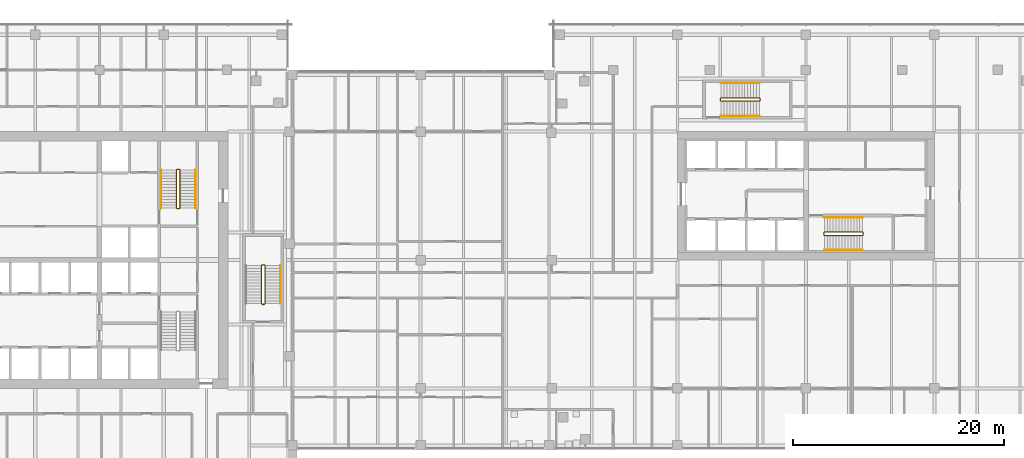
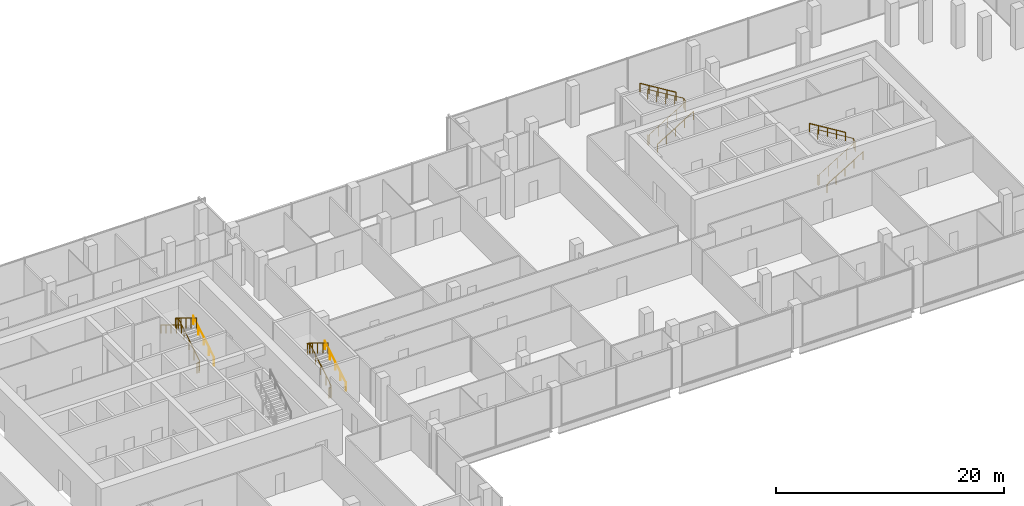
# One storey, part 32 of 33: 11 railings.
"""IFC4 building model written with IfcOpenShell, lengths in metres."""

from ifc_helpers import new_model, si_unit, direction, frame, origin, origin_2d, place, context, subcontext, project, spatial, circle, extrude, material, type_object, element, save


model = new_model("IFC4")

# Units and contexts
model_context = context("Model", 3, precision=1e-05, world=origin(), true_north=direction((0.0, 1.0)))
body_context = subcontext(model_context, "Body", "Model", "MODEL_VIEW")
ifc_project = project(units=[si_unit("LENGTHUNIT", "METRE"), si_unit("AREAUNIT", "SQUARE_METRE"), si_unit("VOLUMEUNIT", "CUBIC_METRE"), si_unit("PLANEANGLEUNIT", "RADIAN"), si_unit("MASSUNIT", "GRAM", prefix="KILO")], contexts=[model_context])

# Site, building, storey
site_placement = place(None, origin())
site = spatial("IfcSite", under=ifc_project, at=site_placement, CompositionType="ELEMENT")
building_placement = place(site_placement, origin())
building = spatial("IfcBuilding", under=site, at=building_placement, Name="Tessera Gate Towers", CompositionType="ELEMENT")
storey_placement = place(building_placement, frame((0.0, 0.0, 12.0)))
storey = spatial("IfcBuildingStorey", under=building, at=storey_placement, Name="L02", CompositionType="ELEMENT", Elevation=12.0)

# Railings
ifc_material_1 = material(Name="Steel 350W", Category="steel")
railing_type_1 = type_object("IfcRailingType", Name="STAIR GUARD 1100", PredefinedType="GUARDRAIL", material=ifc_material_1)
railing_1_placement = place(storey_placement, frame((50.074951171875, 41.47509765625, 0.0)))
element("IfcRailing", 1, at=railing_1_placement, inside=storey, type_object=railing_type_1, Name="L02 ST2 stair guard 1", PredefinedType="GUARDRAIL", context=body_context, shape_type="SweptSolid", body=[
    extrude(circle(Radius=0.02392578125, at=origin_2d()), frame((0.0, 0.0, 1.076171875), z_axis=(1.0, 0.0, 0.0), x_axis=(0.0, 1.0, 0.0)), (0.0, 0.0, 1.0), 0.199951171875),
    extrude(circle(Radius=0.02392578125, at=origin_2d()), frame((0.199951171875, 0.0, 1.076171875), z_axis=(0.270006937388, 0.268689830376, 0.924609122178), x_axis=(-0.705375805398, 0.708833529934, 0.0)), (0.0, 0.0, 1.0), 0.185302734375),
    extrude(circle(Radius=0.02392578125, at=origin_2d()), frame((0.25, 0.0498046875, 1.24755859375), z_axis=(0.0, 0.852865859571, 0.52213008492), x_axis=(-1.0, 0.0, 0.0)), (0.0, 0.0, 1.0), 4.26806640625),
    extrude(circle(Radius=0.02392578125, at=origin_2d()), frame((0.25, 3.68994140625, 3.47607421875), z_axis=(-0.707106781187, 0.707106781187, 0.0), x_axis=(-0.707106781187, -0.707106781187, 0.0)), (0.0, 0.0, 1.0), 0.07080078125),
    extrude(circle(Radius=0.02392578125, at=origin_2d()), frame((0.199951171875, 3.739990234375, 3.47607421875), z_axis=(-1.0, 0.0, 0.0), x_axis=(0.0, -1.0, 0.0)), (0.0, 0.0, 1.0), 0.199951171875),
    extrude(circle(Radius=0.02392578125, at=origin_2d()), frame((0.0, 3.739990234375, 3.47607421875), z_axis=(-0.269583098496, -0.269583098496, 0.924472771914), x_axis=(0.707106781187, -0.707106781187, 0.0)), (0.0, 0.0, 1.0), 0.185546875),
    extrude(circle(Radius=0.02392578125, at=origin_2d()), frame((-0.050048828125, 3.68994140625, 3.6474609375), z_axis=(0.0, -0.852865859571, 0.52213008492), x_axis=(1.0, 0.0, 0.0)), (0.0, 0.0, 1.0), 4.26806640625),
    extrude(circle(Radius=0.02099609375, at=origin_2d()), origin(), (0.0, 0.0, 1.0), 1.052001953125),
    extrude(circle(Radius=0.02099609375, at=origin_2d()), frame((0.199951171875, 0.0, 0.0)), (0.0, 0.0, 1.0), 1.052001953125),
    extrude(circle(Radius=0.02099609375, at=origin_2d()), frame((0.25, 0.0498046875, 0.17138671875)), (0.0, 0.0, 1.0), 1.052001953125),
    extrude(circle(Radius=0.02099609375, at=origin_2d()), frame((0.25, 0.9599609375, 0.728515625)), (0.0, 0.0, 1.0), 1.052001953125),
    extrude(circle(Radius=0.02099609375, at=origin_2d()), frame((0.25, 1.869873046875, 1.28564453125)), (0.0, 0.0, 1.0), 1.052001953125),
    extrude(circle(Radius=0.02099609375, at=origin_2d()), frame((0.25, 2.77978515625, 1.8427734375)), (0.0, 0.0, 1.0), 1.052001953125),
    extrude(circle(Radius=0.02099609375, at=origin_2d()), frame((0.25, 3.68994140625, 2.39990234375)), (0.0, 0.0, 1.0), 1.052001953125),
    extrude(circle(Radius=0.02099609375, at=origin_2d()), frame((0.199951171875, 3.739990234375, 2.39990234375)), (0.0, 0.0, 1.0), 1.052001953125),
    extrude(circle(Radius=0.02099609375, at=origin_2d()), frame((0.0, 3.739990234375, 2.39990234375)), (0.0, 0.0, 1.0), 1.052001953125),
    extrude(circle(Radius=0.02099609375, at=origin_2d()), frame((-0.050048828125, 3.68994140625, 2.571533203125)), (0.0, 0.0, 1.0), 1.052001953125),
    extrude(circle(Radius=0.02099609375, at=origin_2d()), frame((-0.050048828125, 2.77978515625, 3.128662109375)), (0.0, 0.0, 1.0), 1.052001953125),
    extrude(circle(Radius=0.02099609375, at=origin_2d()), frame((-0.050048828125, 1.869873046875, 3.685791015625)), (0.0, 0.0, 1.0), 1.052001953125),
    extrude(circle(Radius=0.02099609375, at=origin_2d()), frame((-0.050048828125, 0.9599609375, 4.242919921875)), (0.0, 0.0, 1.0), 1.052001953125),
    extrude(circle(Radius=0.02099609375, at=origin_2d()), frame((-0.050048828125, 0.0498046875, 4.800048828125)), (0.0, 0.0, 1.0), 1.052001953125),
])
railing_2_placement = place(storey_placement, frame((58.14990234375, 32.39990234375, 0.0)))
element("IfcRailing", 2, at=railing_2_placement, inside=storey, type_object=railing_type_1, Name="L02 ST5 stair guard 1", PredefinedType="GUARDRAIL", context=body_context, shape_type="SweptSolid", body=[
    extrude(circle(Radius=0.02392578125, at=origin_2d()), frame((0.0, 0.0, 1.076171875), z_axis=(1.0, 0.0, 0.0), x_axis=(0.0, 1.0, 0.0)), (0.0, 0.0, 1.0), 0.2001953125),
    extrude(circle(Radius=0.02392578125, at=origin_2d()), frame((0.2001953125, 0.0, 1.076171875), z_axis=(0.268689830376, 0.270006937388, 0.924609122178), x_axis=(-0.708833529934, 0.705375805398, 0.0)), (0.0, 0.0, 1.0), 0.185302734375),
    extrude(circle(Radius=0.02392578125, at=origin_2d()), frame((0.25, 0.050048828125, 1.24755859375), z_axis=(0.0, 0.852865859571, 0.52213008492), x_axis=(-1.0, 0.0, 0.0)), (0.0, 0.0, 1.0), 4.26806640625),
    extrude(circle(Radius=0.02392578125, at=origin_2d()), frame((0.25, 3.690185546875, 3.47607421875), z_axis=(-0.707106781187, 0.707106781187, 0.0), x_axis=(-0.707106781187, -0.707106781187, 0.0)), (0.0, 0.0, 1.0), 0.0703125),
    extrude(circle(Radius=0.02392578125, at=origin_2d()), frame((0.2001953125, 3.739990234375, 3.47607421875), z_axis=(-1.0, 0.0, 0.0), x_axis=(0.0, -1.0, 0.0)), (0.0, 0.0, 1.0), 0.2001953125),
    extrude(circle(Radius=0.02392578125, at=origin_2d()), frame((0.0, 3.739990234375, 3.47607421875), z_axis=(-0.268458005333, -0.268458005333, 0.925127341908), x_axis=(0.707106781187, -0.707106781187, 0.0)), (0.0, 0.0, 1.0), 0.185546875),
    extrude(circle(Radius=0.02392578125, at=origin_2d()), frame((-0.0498046875, 3.690185546875, 3.6474609375), z_axis=(0.0, -0.852865859571, 0.52213008492), x_axis=(1.0, 0.0, 0.0)), (0.0, 0.0, 1.0), 4.26806640625),
    extrude(circle(Radius=0.02099609375, at=origin_2d()), origin(), (0.0, 0.0, 1.0), 1.052001953125),
    extrude(circle(Radius=0.02099609375, at=origin_2d()), frame((0.2001953125, 0.0, 0.0)), (0.0, 0.0, 1.0), 1.052001953125),
    extrude(circle(Radius=0.02099609375, at=origin_2d()), frame((0.25, 0.050048828125, 0.17138671875)), (0.0, 0.0, 1.0), 1.052001953125),
    extrude(circle(Radius=0.02099609375, at=origin_2d()), frame((0.25, 0.9599609375, 0.728515625)), (0.0, 0.0, 1.0), 1.052001953125),
    extrude(circle(Radius=0.02099609375, at=origin_2d()), frame((0.25, 1.8701171875, 1.28564453125)), (0.0, 0.0, 1.0), 1.052001953125),
    extrude(circle(Radius=0.02099609375, at=origin_2d()), frame((0.25, 2.7802734375, 1.8427734375)), (0.0, 0.0, 1.0), 1.052001953125),
    extrude(circle(Radius=0.02099609375, at=origin_2d()), frame((0.25, 3.690185546875, 2.39990234375)), (0.0, 0.0, 1.0), 1.052001953125),
    extrude(circle(Radius=0.02099609375, at=origin_2d()), frame((0.2001953125, 3.739990234375, 2.39990234375)), (0.0, 0.0, 1.0), 1.052001953125),
    extrude(circle(Radius=0.02099609375, at=origin_2d()), frame((0.0, 3.739990234375, 2.39990234375)), (0.0, 0.0, 1.0), 1.052001953125),
    extrude(circle(Radius=0.02099609375, at=origin_2d()), frame((-0.0498046875, 3.690185546875, 2.571533203125)), (0.0, 0.0, 1.0), 1.052001953125),
    extrude(circle(Radius=0.02099609375, at=origin_2d()), frame((-0.0498046875, 2.7802734375, 3.128662109375)), (0.0, 0.0, 1.0), 1.052001953125),
    extrude(circle(Radius=0.02099609375, at=origin_2d()), frame((-0.0498046875, 1.8701171875, 3.685791015625)), (0.0, 0.0, 1.0), 1.052001953125),
    extrude(circle(Radius=0.02099609375, at=origin_2d()), frame((-0.0498046875, 0.9599609375, 4.242919921875)), (0.0, 0.0, 1.0), 1.052001953125),
    extrude(circle(Radius=0.02099609375, at=origin_2d()), frame((-0.0498046875, 0.050048828125, 4.800048828125)), (0.0, 0.0, 1.0), 1.052001953125),
])
railing_3_placement = place(storey_placement, frame((111.5, 39.199951171875, 0.0)))
element("IfcRailing", 3, at=railing_3_placement, inside=storey, type_object=railing_type_1, Name="L02 ST6 stair guard 1", PredefinedType="GUARDRAIL", context=body_context, shape_type="SweptSolid", body=[
    extrude(circle(Radius=0.02392578125, at=origin_2d()), frame((0.0, 0.0, 1.076171875), z_axis=(0.0, -1.0, 0.0), x_axis=(1.0, 0.0, 0.0)), (0.0, 0.0, 1.0), 0.199951171875),
    extrude(circle(Radius=0.02392578125, at=origin_2d()), frame((0.0, -0.199951171875, 1.076171875), z_axis=(0.269911200495, -0.269911200495, 0.924281281696), x_axis=(0.707106781187, 0.707106781187, 0.0)), (0.0, 0.0, 1.0), 0.185546875),
    extrude(circle(Radius=0.02392578125, at=origin_2d()), frame((0.050048828125, -0.25, 1.24755859375), z_axis=(0.852850264322, 0.0, 0.5221555579), x_axis=(0.0, 1.0, 0.0)), (0.0, 0.0, 1.0), 4.267822265625),
    extrude(circle(Radius=0.02392578125, at=origin_2d()), frame((3.68994140625, -0.25, 3.47607421875), z_axis=(0.707106781187, 0.707106781187, 0.0), x_axis=(-0.707106781187, 0.707106781187, 0.0)), (0.0, 0.0, 1.0), 0.07080078125),
    extrude(circle(Radius=0.02392578125, at=origin_2d()), frame((3.739990234375, -0.199951171875, 3.47607421875), z_axis=(0.0, 1.0, 0.0), x_axis=(-1.0, 0.0, 0.0)), (0.0, 0.0, 1.0), 0.199951171875),
    extrude(circle(Radius=0.02392578125, at=origin_2d()), frame((3.739990234375, 0.0, 3.47607421875), z_axis=(-0.269583098496, 0.269583098496, 0.924472771914), x_axis=(-0.707106781187, -0.707106781187, 0.0)), (0.0, 0.0, 1.0), 0.185546875),
    extrude(circle(Radius=0.02392578125, at=origin_2d()), frame((3.68994140625, 0.050048828125, 3.6474609375), z_axis=(-0.852850264322, 0.0, 0.5221555579), x_axis=(0.0, -1.0, 0.0)), (0.0, 0.0, 1.0), 4.267822265625),
    extrude(circle(Radius=0.02099609375, at=origin_2d()), origin(), (0.0, 0.0, 1.0), 1.052001953125),
    extrude(circle(Radius=0.02099609375, at=origin_2d()), frame((0.0, -0.199951171875, 0.0)), (0.0, 0.0, 1.0), 1.052001953125),
    extrude(circle(Radius=0.02099609375, at=origin_2d()), frame((0.050048828125, -0.25, 0.17138671875)), (0.0, 0.0, 1.0), 1.052001953125),
    extrude(circle(Radius=0.02099609375, at=origin_2d()), frame((0.9599609375, -0.25, 0.728515625)), (0.0, 0.0, 1.0), 1.052001953125),
    extrude(circle(Radius=0.02099609375, at=origin_2d()), frame((1.8701171875, -0.25, 1.28564453125)), (0.0, 0.0, 1.0), 1.052001953125),
    extrude(circle(Radius=0.02099609375, at=origin_2d()), frame((2.780029296875, -0.25, 1.8427734375)), (0.0, 0.0, 1.0), 1.052001953125),
    extrude(circle(Radius=0.02099609375, at=origin_2d()), frame((3.68994140625, -0.25, 2.39990234375)), (0.0, 0.0, 1.0), 1.052001953125),
    extrude(circle(Radius=0.02099609375, at=origin_2d()), frame((3.739990234375, -0.199951171875, 2.39990234375)), (0.0, 0.0, 1.0), 1.052001953125),
    extrude(circle(Radius=0.02099609375, at=origin_2d()), frame((3.739990234375, 0.0, 2.39990234375)), (0.0, 0.0, 1.0), 1.052001953125),
    extrude(circle(Radius=0.02099609375, at=origin_2d()), frame((3.68994140625, 0.050048828125, 2.571533203125)), (0.0, 0.0, 1.0), 1.052001953125),
    extrude(circle(Radius=0.02099609375, at=origin_2d()), frame((2.780029296875, 0.050048828125, 3.128662109375)), (0.0, 0.0, 1.0), 1.052001953125),
    extrude(circle(Radius=0.02099609375, at=origin_2d()), frame((1.8701171875, 0.050048828125, 3.685791015625)), (0.0, 0.0, 1.0), 1.052001953125),
    extrude(circle(Radius=0.02099609375, at=origin_2d()), frame((0.9599609375, 0.050048828125, 4.242919921875)), (0.0, 0.0, 1.0), 1.052001953125),
    extrude(circle(Radius=0.02099609375, at=origin_2d()), frame((0.050048828125, 0.050048828125, 4.800048828125)), (0.0, 0.0, 1.0), 1.052001953125),
])
railing_4_placement = place(storey_placement, frame((101.699951171875, 51.949951171875, 0.0)))
element("IfcRailing", 4, at=railing_4_placement, inside=storey, type_object=railing_type_1, Name="L02 ST7 stair guard 1", PredefinedType="GUARDRAIL", context=body_context, shape_type="SweptSolid", body=[
    extrude(circle(Radius=0.02392578125, at=origin_2d()), frame((0.0, 0.0, 1.076171875), z_axis=(0.0, -1.0, 0.0), x_axis=(1.0, 0.0, 0.0)), (0.0, 0.0, 1.0), 0.199951171875),
    extrude(circle(Radius=0.02392578125, at=origin_2d()), frame((0.0, -0.199951171875, 1.076171875), z_axis=(0.269911200495, -0.269911200495, 0.924281281696), x_axis=(0.707106781187, 0.707106781187, 0.0)), (0.0, 0.0, 1.0), 0.185546875),
    extrude(circle(Radius=0.02392578125, at=origin_2d()), frame((0.050048828125, -0.25, 1.24755859375), z_axis=(0.852850264322, 0.0, 0.5221555579), x_axis=(0.0, 1.0, 0.0)), (0.0, 0.0, 1.0), 4.267822265625),
    extrude(circle(Radius=0.02392578125, at=origin_2d()), frame((3.68994140625, -0.25, 3.47607421875), z_axis=(0.707106781187, 0.707106781187, 0.0), x_axis=(-0.707106781187, 0.707106781187, 0.0)), (0.0, 0.0, 1.0), 0.07080078125),
    extrude(circle(Radius=0.02392578125, at=origin_2d()), frame((3.739990234375, -0.199951171875, 3.47607421875), z_axis=(0.0, 1.0, 0.0), x_axis=(-1.0, 0.0, 0.0)), (0.0, 0.0, 1.0), 0.199951171875),
    extrude(circle(Radius=0.02392578125, at=origin_2d()), frame((3.739990234375, 0.0, 3.47607421875), z_axis=(-0.269583098496, 0.269583098496, 0.924472771914), x_axis=(-0.707106781187, -0.707106781187, 0.0)), (0.0, 0.0, 1.0), 0.185546875),
    extrude(circle(Radius=0.02392578125, at=origin_2d()), frame((3.68994140625, 0.050048828125, 3.6474609375), z_axis=(-0.852850264322, 0.0, 0.5221555579), x_axis=(0.0, -1.0, 0.0)), (0.0, 0.0, 1.0), 4.267822265625),
    extrude(circle(Radius=0.02099609375, at=origin_2d()), origin(), (0.0, 0.0, 1.0), 1.052001953125),
    extrude(circle(Radius=0.02099609375, at=origin_2d()), frame((0.0, -0.199951171875, 0.0)), (0.0, 0.0, 1.0), 1.052001953125),
    extrude(circle(Radius=0.02099609375, at=origin_2d()), frame((0.050048828125, -0.25, 0.17138671875)), (0.0, 0.0, 1.0), 1.052001953125),
    extrude(circle(Radius=0.02099609375, at=origin_2d()), frame((0.9599609375, -0.25, 0.728515625)), (0.0, 0.0, 1.0), 1.052001953125),
    extrude(circle(Radius=0.02099609375, at=origin_2d()), frame((1.8701171875, -0.25, 1.28564453125)), (0.0, 0.0, 1.0), 1.052001953125),
    extrude(circle(Radius=0.02099609375, at=origin_2d()), frame((2.780029296875, -0.25, 1.8427734375)), (0.0, 0.0, 1.0), 1.052001953125),
    extrude(circle(Radius=0.02099609375, at=origin_2d()), frame((3.68994140625, -0.25, 2.39990234375)), (0.0, 0.0, 1.0), 1.052001953125),
    extrude(circle(Radius=0.02099609375, at=origin_2d()), frame((3.739990234375, -0.199951171875, 2.39990234375)), (0.0, 0.0, 1.0), 1.052001953125),
    extrude(circle(Radius=0.02099609375, at=origin_2d()), frame((3.739990234375, 0.0, 2.39990234375)), (0.0, 0.0, 1.0), 1.052001953125),
    extrude(circle(Radius=0.02099609375, at=origin_2d()), frame((3.68994140625, 0.050048828125, 2.571533203125)), (0.0, 0.0, 1.0), 1.052001953125),
    extrude(circle(Radius=0.02099609375, at=origin_2d()), frame((2.780029296875, 0.050048828125, 3.128662109375)), (0.0, 0.0, 1.0), 1.052001953125),
    extrude(circle(Radius=0.02099609375, at=origin_2d()), frame((1.8701171875, 0.050048828125, 3.685791015625)), (0.0, 0.0, 1.0), 1.052001953125),
    extrude(circle(Radius=0.02099609375, at=origin_2d()), frame((0.9599609375, 0.050048828125, 4.242919921875)), (0.0, 0.0, 1.0), 1.052001953125),
    extrude(circle(Radius=0.02099609375, at=origin_2d()), frame((0.050048828125, 0.050048828125, 4.800048828125)), (0.0, 0.0, 1.0), 1.052001953125),
])
ifc_material_2 = material(Name="Steel 350W", Category="steel")
railing_type_2 = type_object("IfcRailingType", Name="STAIR HANDRAIL 900", PredefinedType="HANDRAIL", material=ifc_material_2)
railing_5_placement = place(storey_placement, frame((51.824951171875, 41.52490234375, 0.17138671875)))
element("IfcRailing", 5, at=railing_5_placement, inside=storey, type_object=railing_type_2, Name="L02 ST2 stair handrail 1", PredefinedType="HANDRAIL", context=body_context, shape_type="SweptSolid", body=[
    extrude(circle(Radius=0.02392578125, at=origin_2d()), frame((0.0, 0.0, 0.8759765625), z_axis=(0.0, 0.852865859571, 0.52213008492), x_axis=(-1.0, 0.0, 0.0)), (0.0, 0.0, 1.0), 4.26806640625),
    extrude(circle(Radius=0.02099609375, at=origin_2d()), origin(), (0.0, 0.0, 1.0), 0.851806640625),
    extrude(circle(Radius=0.02099609375, at=origin_2d()), frame((0.0, 0.91015625, 0.55712890625)), (0.0, 0.0, 1.0), 0.851806640625),
    extrude(circle(Radius=0.02099609375, at=origin_2d()), frame((0.0, 1.820068359375, 1.1142578125)), (0.0, 0.0, 1.0), 0.851806640625),
    extrude(circle(Radius=0.02099609375, at=origin_2d()), frame((0.0, 2.72998046875, 1.67138671875)), (0.0, 0.0, 1.0), 0.851806640625),
    extrude(circle(Radius=0.02099609375, at=origin_2d()), frame((0.0, 3.64013671875, 2.228515625)), (0.0, 0.0, 1.0), 0.851806640625),
])
railing_6_placement = place(storey_placement, frame((48.52490234375, 45.1650390625, 2.571533203125)))
element("IfcRailing", 6, at=railing_6_placement, inside=storey, type_object=railing_type_2, Name="L02 ST2 stair handrail 2", PredefinedType="HANDRAIL", context=body_context, shape_type="SweptSolid", body=[
    extrude(circle(Radius=0.02392578125, at=origin_2d()), frame((0.0, 0.0, 0.8759765625), z_axis=(0.0, -0.852865859571, 0.52213008492), x_axis=(1.0, 0.0, 0.0)), (0.0, 0.0, 1.0), 4.26806640625),
    extrude(circle(Radius=0.02099609375, at=origin_2d()), origin(), (0.0, 0.0, 1.0), 0.851806640625),
    extrude(circle(Radius=0.02099609375, at=origin_2d()), frame((0.0, -0.91015625, 0.55712890625)), (0.0, 0.0, 1.0), 0.851806640625),
    extrude(circle(Radius=0.02099609375, at=origin_2d()), frame((0.0, -1.820068359375, 1.1142578125)), (0.0, 0.0, 1.0), 0.851806640625),
    extrude(circle(Radius=0.02099609375, at=origin_2d()), frame((0.0, -2.72998046875, 1.67138671875)), (0.0, 0.0, 1.0), 0.851806640625),
    extrude(circle(Radius=0.02099609375, at=origin_2d()), frame((0.0, -3.64013671875, 2.228515625)), (0.0, 0.0, 1.0), 0.851806640625),
])
railing_7_placement = place(storey_placement, frame((59.89990234375, 32.449951171875, 0.17138671875)))
element("IfcRailing", 7, at=railing_7_placement, inside=storey, type_object=railing_type_2, Name="L02 ST5 stair handrail 1", PredefinedType="HANDRAIL", context=body_context, shape_type="SweptSolid", body=[
    extrude(circle(Radius=0.02392578125, at=origin_2d()), frame((0.0, 0.0, 0.8759765625), z_axis=(0.0, 0.852865859571, 0.52213008492), x_axis=(-1.0, 0.0, 0.0)), (0.0, 0.0, 1.0), 4.26806640625),
    extrude(circle(Radius=0.02099609375, at=origin_2d()), origin(), (0.0, 0.0, 1.0), 0.851806640625),
    extrude(circle(Radius=0.02099609375, at=origin_2d()), frame((0.0, 0.91015625, 0.55712890625)), (0.0, 0.0, 1.0), 0.851806640625),
    extrude(circle(Radius=0.02099609375, at=origin_2d()), frame((0.0, 1.820068359375, 1.1142578125)), (0.0, 0.0, 1.0), 0.851806640625),
    extrude(circle(Radius=0.02099609375, at=origin_2d()), frame((0.0, 2.72998046875, 1.67138671875)), (0.0, 0.0, 1.0), 0.851806640625),
    extrude(circle(Radius=0.02099609375, at=origin_2d()), frame((0.0, 3.64013671875, 2.228515625)), (0.0, 0.0, 1.0), 0.851806640625),
])
railing_8_placement = place(storey_placement, frame((111.550048828125, 37.550048828125, 0.17138671875)))
element("IfcRailing", 8, at=railing_8_placement, inside=storey, type_object=railing_type_2, Name="L02 ST6 stair handrail 1", PredefinedType="HANDRAIL", context=body_context, shape_type="SweptSolid", body=[
    extrude(circle(Radius=0.02392578125, at=origin_2d()), frame((0.0, 0.0, 0.8759765625), z_axis=(0.852850264322, 0.0, 0.5221555579), x_axis=(0.0, 1.0, 0.0)), (0.0, 0.0, 1.0), 4.267822265625),
    extrude(circle(Radius=0.02099609375, at=origin_2d()), origin(), (0.0, 0.0, 1.0), 0.851806640625),
    extrude(circle(Radius=0.02099609375, at=origin_2d()), frame((0.909912109375, 0.0, 0.55712890625)), (0.0, 0.0, 1.0), 0.851806640625),
    extrude(circle(Radius=0.02099609375, at=origin_2d()), frame((1.81982421875, 0.0, 1.1142578125)), (0.0, 0.0, 1.0), 0.851806640625),
    extrude(circle(Radius=0.02099609375, at=origin_2d()), frame((2.72998046875, 0.0, 1.67138671875)), (0.0, 0.0, 1.0), 0.851806640625),
    extrude(circle(Radius=0.02099609375, at=origin_2d()), frame((3.639892578125, 0.0, 2.228515625)), (0.0, 0.0, 1.0), 0.851806640625),
])
railing_9_placement = place(storey_placement, frame((115.18994140625, 40.64990234375, 2.571533203125)))
element("IfcRailing", 9, at=railing_9_placement, inside=storey, type_object=railing_type_2, Name="L02 ST6 stair handrail 2", PredefinedType="HANDRAIL", context=body_context, shape_type="SweptSolid", body=[
    extrude(circle(Radius=0.02392578125, at=origin_2d()), frame((0.0, 0.0, 0.8759765625), z_axis=(-0.852850264322, 0.0, 0.5221555579), x_axis=(0.0, -1.0, 0.0)), (0.0, 0.0, 1.0), 4.267822265625),
    extrude(circle(Radius=0.02099609375, at=origin_2d()), origin(), (0.0, 0.0, 1.0), 0.851806640625),
    extrude(circle(Radius=0.02099609375, at=origin_2d()), frame((-0.909912109375, 0.0, 0.55712890625)), (0.0, 0.0, 1.0), 0.851806640625),
    extrude(circle(Radius=0.02099609375, at=origin_2d()), frame((-1.81982421875, 0.0, 1.1142578125)), (0.0, 0.0, 1.0), 0.851806640625),
    extrude(circle(Radius=0.02099609375, at=origin_2d()), frame((-2.72998046875, 0.0, 1.67138671875)), (0.0, 0.0, 1.0), 0.851806640625),
    extrude(circle(Radius=0.02099609375, at=origin_2d()), frame((-3.639892578125, 0.0, 2.228515625)), (0.0, 0.0, 1.0), 0.851806640625),
])
railing_10_placement = place(storey_placement, frame((101.75, 50.300048828125, 0.17138671875)))
element("IfcRailing", 10, at=railing_10_placement, inside=storey, type_object=railing_type_2, Name="L02 ST7 stair handrail 1", PredefinedType="HANDRAIL", context=body_context, shape_type="SweptSolid", body=[
    extrude(circle(Radius=0.02392578125, at=origin_2d()), frame((0.0, 0.0, 0.8759765625), z_axis=(0.852850264322, 0.0, 0.5221555579), x_axis=(0.0, 1.0, 0.0)), (0.0, 0.0, 1.0), 4.267822265625),
    extrude(circle(Radius=0.02099609375, at=origin_2d()), origin(), (0.0, 0.0, 1.0), 0.851806640625),
    extrude(circle(Radius=0.02099609375, at=origin_2d()), frame((0.909912109375, 0.0, 0.55712890625)), (0.0, 0.0, 1.0), 0.851806640625),
    extrude(circle(Radius=0.02099609375, at=origin_2d()), frame((1.81982421875, 0.0, 1.1142578125)), (0.0, 0.0, 1.0), 0.851806640625),
    extrude(circle(Radius=0.02099609375, at=origin_2d()), frame((2.72998046875, 0.0, 1.67138671875)), (0.0, 0.0, 1.0), 0.851806640625),
    extrude(circle(Radius=0.02099609375, at=origin_2d()), frame((3.639892578125, 0.0, 2.228515625)), (0.0, 0.0, 1.0), 0.851806640625),
])
railing_11_placement = place(storey_placement, frame((105.389892578125, 53.39990234375, 2.571533203125)))
element("IfcRailing", 11, at=railing_11_placement, inside=storey, type_object=railing_type_2, Name="L02 ST7 stair handrail 2", PredefinedType="HANDRAIL", context=body_context, shape_type="SweptSolid", body=[
    extrude(circle(Radius=0.02392578125, at=origin_2d()), frame((0.0, 0.0, 0.8759765625), z_axis=(-0.852850264322, 0.0, 0.5221555579), x_axis=(0.0, -1.0, 0.0)), (0.0, 0.0, 1.0), 4.267822265625),
    extrude(circle(Radius=0.02099609375, at=origin_2d()), origin(), (0.0, 0.0, 1.0), 0.851806640625),
    extrude(circle(Radius=0.02099609375, at=origin_2d()), frame((-0.909912109375, 0.0, 0.55712890625)), (0.0, 0.0, 1.0), 0.851806640625),
    extrude(circle(Radius=0.02099609375, at=origin_2d()), frame((-1.81982421875, 0.0, 1.1142578125)), (0.0, 0.0, 1.0), 0.851806640625),
    extrude(circle(Radius=0.02099609375, at=origin_2d()), frame((-2.72998046875, 0.0, 1.67138671875)), (0.0, 0.0, 1.0), 0.851806640625),
    extrude(circle(Radius=0.02099609375, at=origin_2d()), frame((-3.639892578125, 0.0, 2.228515625)), (0.0, 0.0, 1.0), 0.851806640625),
])

save(model, "model.ifc")
